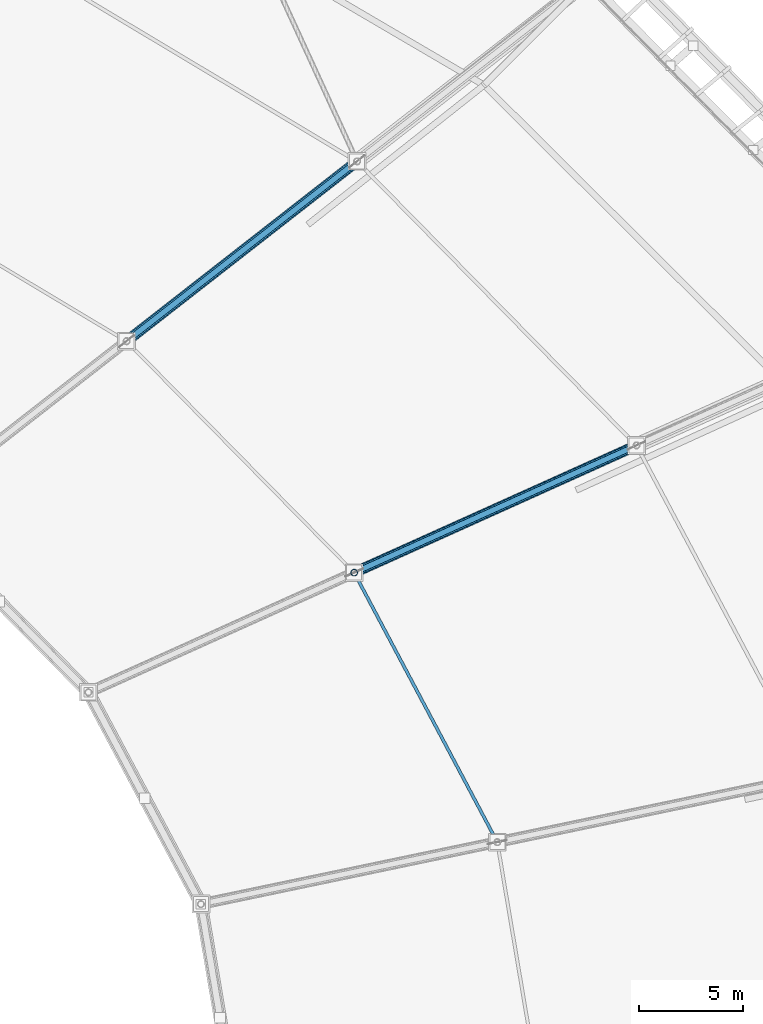
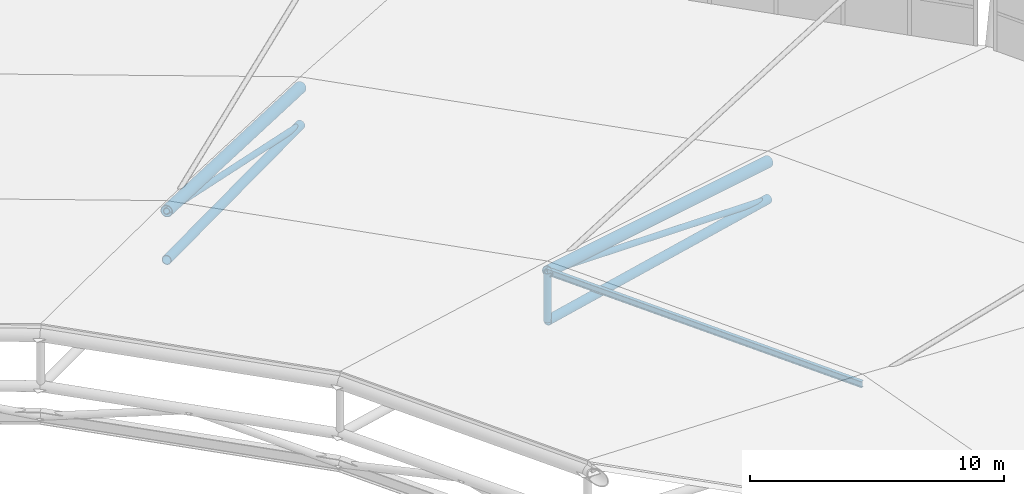
# One storey, part 54 of 115: 8 members.
"""IFC4 building model written with IfcOpenShell, lengths in metres."""

from ifc_helpers import new_model, si_unit, direction, frame, origin, origin_2d, place, context, subcontext, project, spatial, hollow_circle, i_section, extrude, material, material_profile, profile_set, type_object, element, save


model = new_model("IFC4")

# Units and contexts
model_context = context("Model", 3, precision=1e-05, world=origin(), true_north=direction((0.0, 1.0)))
body_context = subcontext(model_context, "Body", "Model", "MODEL_VIEW")
ifc_project = project(units=[si_unit("LENGTHUNIT", "METRE"), si_unit("AREAUNIT", "SQUARE_METRE"), si_unit("VOLUMEUNIT", "CUBIC_METRE"), si_unit("PLANEANGLEUNIT", "RADIAN"), si_unit("MASSUNIT", "GRAM", prefix="KILO")], contexts=[model_context])

# Site, building, storey
site_placement = place(None, origin())
site = spatial("IfcSite", under=ifc_project, at=site_placement, CompositionType="ELEMENT")
building_placement = place(site_placement, origin())
building = spatial("IfcBuilding", under=site, at=building_placement, Name="Zlatoyarsky Gate Stadium", CompositionType="ELEMENT")
storey_placement = place(building_placement, frame((0.0, 0.0, 31.800048828125)))
storey = spatial("IfcBuildingStorey", under=building, at=storey_placement, Name="RF", CompositionType="ELEMENT", Elevation=31.800048828125)

# Members
ifc_material = material(Name="Steel S355", Category="steel")
ifc_material_profile_1 = material_profile(ifc_material, hollow_circle(Radius=0.203125, WallThickness=0.02001953125, at=origin_2d()), Name="CHS 406.4X20")
ifc_profile_set_1 = profile_set([ifc_material_profile_1], Name="Steel S355")
member_type_1 = type_object("IfcMemberType", Name="STEEL ARCH INNER CHORD CHS 406.4X20", PredefinedType="CHORD", material=ifc_profile_set_1)
member_1_placement = place(storey_placement, frame((184.078125, 112.912109375, 1.349853515625), z_axis=(-0.898147365371, -0.404501335329, 0.172365831283), x_axis=(0.410647494478, -0.911794184714, 0.0)))
element("IfcMember", 1, at=member_1_placement, inside=storey, type_object=member_type_1, Name="Radial truss R03 bottom chord 2", PredefinedType="CHORD", context=body_context, shape_type="SweptSolid", body=[
    extrude(hollow_circle(Radius=0.203125, WallThickness=0.02001953125, at=origin_2d()), origin(), (0.0, 0.0, 1.0), 15.084716796875),
])
member_2_placement = place(storey_placement, frame((170.66796875, 126.544677734375, 1.349853515625), z_axis=(-0.775280414707, -0.604760130163, 0.182223663495), x_axis=(0.61505798075, -0.788481883315, 0.0)))
element("IfcMember", 2, at=member_2_placement, inside=storey, type_object=member_type_1, Name="Radial truss R04 bottom chord 2", PredefinedType="CHORD", context=body_context, shape_type="SweptSolid", body=[
    extrude(hollow_circle(Radius=0.203125, WallThickness=0.02001953125, at=origin_2d()), origin(), (0.0, 0.0, 1.0), 14.268798828125),
])
ifc_material_profile_2 = material_profile(ifc_material, hollow_circle(Radius=0.25390625, WallThickness=0.02490234375, at=origin_2d()), Name="CHS 508X25")
ifc_profile_set_2 = profile_set([ifc_material_profile_2], Name="Steel S355")
member_type_2 = type_object("IfcMemberType", Name="STEEL ARCH TOP CHORD CHS 508X25", PredefinedType="CHORD", material=ifc_profile_set_2)
member_3_placement = place(storey_placement, frame((184.078125, 112.912109375, 3.14990234375), z_axis=(-0.891969630236, -0.40171905014, 0.207393306284), x_axis=(0.410647494478, -0.911794184714, 0.0)))
element("IfcMember", 3, at=member_3_placement, inside=storey, type_object=member_type_2, Name="Radial truss R03 top chord 2", PredefinedType="CHORD", context=body_context, shape_type="SweptSolid", body=[
    extrude(hollow_circle(Radius=0.25390625, WallThickness=0.02490234375, at=origin_2d()), origin(), (0.0, 0.0, 1.0), 15.189208984375),
])
member_4_placement = place(storey_placement, frame((170.66796875, 126.544677734375, 3.14990234375), z_axis=(-0.769327603611, -0.600116619576, 0.21907779721), x_axis=(0.61505798075, -0.788481883315, 0.0)))
element("IfcMember", 4, at=member_4_placement, inside=storey, type_object=member_type_2, Name="Radial truss R04 top chord 2", PredefinedType="CHORD", context=body_context, shape_type="SweptSolid", body=[
    extrude(hollow_circle(Radius=0.25390625, WallThickness=0.02490234375, at=origin_2d()), origin(), (0.0, 0.0, 1.0), 14.379150390625),
])
ifc_material_profile_3 = material_profile(ifc_material, i_section(OverallWidth=0.14990234375, OverallDepth=0.300048828125, WebThickness=0.007080078125, FlangeThickness=0.0107421875, FilletRadius=0.014892578125, at=origin_2d()), Name="IPE 300")
ifc_profile_set_3 = profile_set([ifc_material_profile_3], Name="Steel S355")
member_type_3 = type_object("IfcMemberType", Name="STEEL BOWL ROOF PURLIN IPE 300", PredefinedType="PURLIN", material=ifc_profile_set_3)
member_5_placement = place(storey_placement, frame((177.396728515625, 93.8779296875, 6.329833984375), z_axis=(-0.468975198418, 0.883211335564, 0.0), x_axis=(-0.883211335564, -0.468975198418, 0.0)))
element("IfcMember", 5, at=member_5_placement, inside=storey, type_object=member_type_3, Name="Stadium roof purlin 01.2", PredefinedType="PURLIN", context=body_context, shape_type="SweptSolid", body=[
    extrude(i_section(OverallWidth=0.14990234375, OverallDepth=0.300048828125, WebThickness=0.007080078125, FlangeThickness=0.0107421875, FilletRadius=0.014892578125, at=origin_2d()), origin(), (0.0, 0.0, 1.0), 14.642333984375),
])
ifc_material_profile_4 = material_profile(ifc_material, hollow_circle(Radius=0.136474609375, WallThickness=0.01611328125, at=origin_2d()), Name="CHS 273X16")
ifc_profile_set_4 = profile_set([ifc_material_profile_4], Name="Steel S355")
member_type_4 = type_object("IfcMemberType", Name="STEEL ROOF TRUSS DIAGONAL CHS 273X16", PredefinedType="BRACE", material=ifc_profile_set_4)
member_6_placement = place(storey_placement, frame((184.078125, 112.912109375, 1.349853515625), z_axis=(-0.865052822884, -0.389596446505, 0.316066800678), x_axis=(0.410647494478, -0.911794184714, 0.0)))
element("IfcMember", 6, at=member_6_placement, inside=storey, type_object=member_type_4, Name="Radial truss R03 web diagonal 2", PredefinedType="BRACE", context=body_context, shape_type="SweptSolid", body=[
    extrude(hollow_circle(Radius=0.136474609375, WallThickness=0.01611328125, at=origin_2d()), origin(), (0.0, 0.0, 1.0), 15.661865234375),
])
member_7_placement = place(storey_placement, frame((170.66796875, 126.544677734375, 1.349853515625), z_axis=(-0.743555815667, -0.580013248543, 0.332730191752), x_axis=(0.61505798075, -0.788481883315, 0.0)))
element("IfcMember", 7, at=member_7_placement, inside=storey, type_object=member_type_4, Name="Radial truss R04 web diagonal 2", PredefinedType="BRACE", context=body_context, shape_type="SweptSolid", body=[
    extrude(hollow_circle(Radius=0.136474609375, WallThickness=0.01611328125, at=origin_2d()), origin(), (0.0, 0.0, 1.0), 14.87744140625),
])
ifc_material_profile_5 = material_profile(ifc_material, hollow_circle(Radius=0.161865234375, WallThickness=0.01611328125, at=origin_2d()), Name="CHS 323.9X16")
ifc_profile_set_5 = profile_set([ifc_material_profile_5], Name="Steel S355")
member_type_5 = type_object("IfcMemberType", Name="STEEL TRUSS WEB STRUT CHS 323.9X16", PredefinedType="STRUT", material=ifc_profile_set_5)
member_8_placement = place(storey_placement, frame((170.52978515625, 106.810302734375, 3.949951171875), z_axis=(0.0, 0.0, 1.0), x_axis=(1.0, 0.0, 0.0)))
element("IfcMember", 8, at=member_8_placement, inside=storey, type_object=member_type_5, Name="Radial truss R03 web strut 2", PredefinedType="STRUT", context=body_context, shape_type="SweptSolid", body=[
    extrude(hollow_circle(Radius=0.161865234375, WallThickness=0.01611328125, at=origin_2d()), origin(), (0.0, 0.0, 1.0), 2.35009765625),
])

save(model, "model.ifc")
